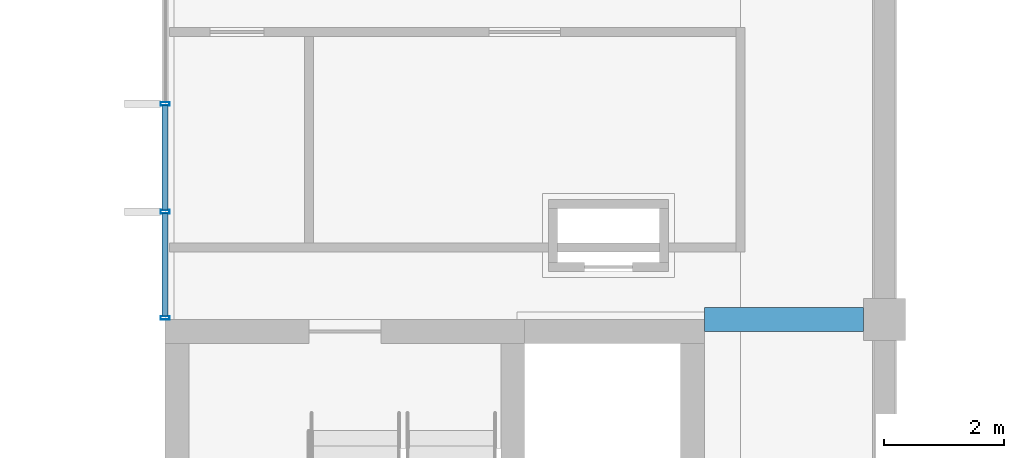
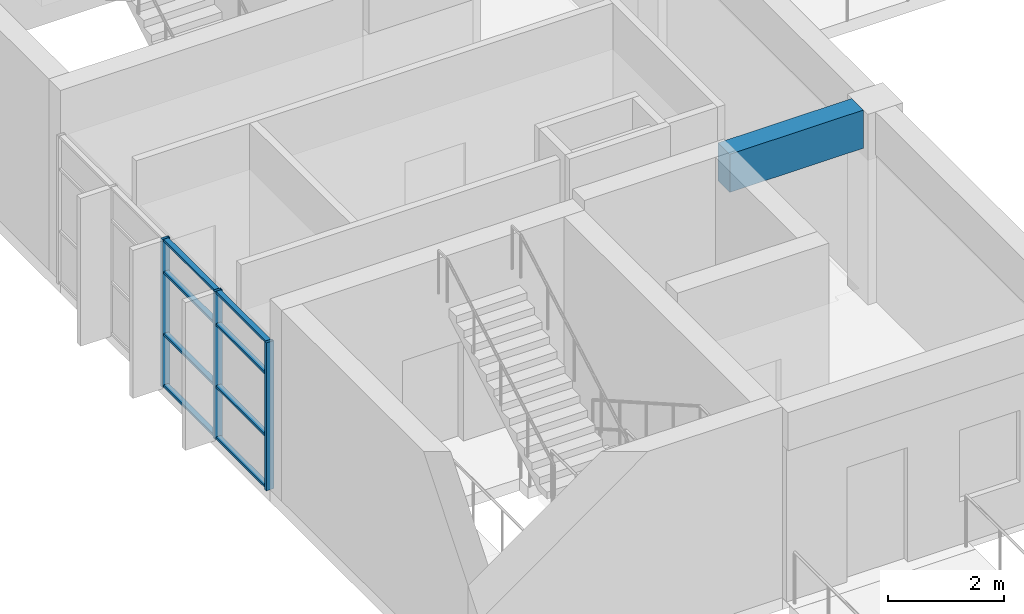
# One storey, part 33 of 101: 11 members, 1 beam, 1 element without a shape of its own.
"""IFC4 building model written with IfcOpenShell, lengths in metres."""

from ifc_helpers import new_model, si_unit, direction, frame, origin, origin_2d, place, context, subcontext, project, spatial, rectangle, hollow_rectangle, extrude, material, material_profile, profile_set, type_object, element, aggregate, save


model = new_model("IFC4")

# Units and contexts
model_context = context("Model", 3, precision=1e-05, world=origin(), true_north=direction((0.0, 1.0)))
body_context = subcontext(model_context, "Body", "Model", "MODEL_VIEW")
ifc_project = project(units=[si_unit("LENGTHUNIT", "METRE"), si_unit("AREAUNIT", "SQUARE_METRE"), si_unit("VOLUMEUNIT", "CUBIC_METRE"), si_unit("PLANEANGLEUNIT", "RADIAN"), si_unit("MASSUNIT", "GRAM", prefix="KILO")], contexts=[model_context])

# Site, building, storey
site_placement = place(None, origin())
site = spatial("IfcSite", under=ifc_project, at=site_placement, CompositionType="ELEMENT")
building_placement = place(site_placement, origin())
building = spatial("IfcBuilding", under=site, at=building_placement, Name="Laocheng Heights Fire and Rescue Headquarters", CompositionType="ELEMENT")
storey_placement = place(building_placement, frame((0.0, 0.0, 8.39990234375)))
storey = spatial("IfcBuildingStorey", under=building, at=storey_placement, Name="L02", CompositionType="ELEMENT", Elevation=8.39990234375)

# Curtain wall, members
ifc_material_1 = material(Name="Dark anodised aluminium unitised curtain wall, low-e double glazing", Category="aluminium")
curtain_wall_type = type_object("IfcCurtainWallType", Name="CW 7200 x 3100 FOYER GLAZING", PredefinedType="NOTDEFINED", material=ifc_material_1)
curtain_wall_placement = place(storey_placement, origin())
curtain_wall = element("IfcCurtainWall", 1, at=curtain_wall_placement, inside=storey, type_object=curtain_wall_type, Name="X3-V FOYER WEST L02", PredefinedType="NOTDEFINED")
ifc_material_2 = material(Name="Dark anodised aluminium 6063-T5 extrusion", Category="aluminium")
ifc_material_profile_1 = material_profile(ifc_material_2, hollow_rectangle(XDim=0.14990234375, YDim=0.06005859375, WallThickness=0.0029296875, at=origin_2d()), Name="AL MULLION 150x60x3 FOYER GLAZING")
ifc_profile_set_1 = profile_set([ifc_material_profile_1], Name="Dark anodised aluminium 6063-T5 extrusion")
member_type_1 = type_object("IfcMemberType", Name="AL MULLION 150x60x3 FOYER GLAZING", PredefinedType="MULLION", material=ifc_profile_set_1)
member_1_placement = place(storey_placement, frame((0.0, 43.22998046875, 0.0), z_axis=(0.0, 0.0, 1.0), x_axis=(-1.0, 0.0, 0.0)))
member_1 = element("IfcMember", 2, at=member_1_placement, type_object=member_type_1, Name="X3-V mullion 1", PredefinedType="MULLION", context=body_context, shape_type="SweptSolid", body=[
    extrude(hollow_rectangle(XDim=0.14990234375, YDim=0.06005859375, WallThickness=0.0029296875, at=origin_2d()), origin(), (0.0, 0.0, 1.0), 3.10009765625),
])
member_2_placement = place(storey_placement, frame((0.0, 45.0, 0.0), z_axis=(0.0, 0.0, 1.0), x_axis=(-1.0, 0.0, 0.0)))
member_2 = element("IfcMember", 3, at=member_2_placement, type_object=member_type_1, Name="X3-V mullion 2", PredefinedType="MULLION", context=body_context, shape_type="SweptSolid", body=[
    extrude(hollow_rectangle(XDim=0.14990234375, YDim=0.06005859375, WallThickness=0.0029296875, at=origin_2d()), origin(), (0.0, 0.0, 1.0), 3.10009765625),
])
member_3_placement = place(storey_placement, frame((0.0, 46.800048828125, 0.0), z_axis=(0.0, 0.0, 1.0), x_axis=(-1.0, 0.0, 0.0)))
member_3 = element("IfcMember", 4, at=member_3_placement, type_object=member_type_1, Name="X3-V mullion 3", PredefinedType="MULLION", context=body_context, shape_type="SweptSolid", body=[
    extrude(hollow_rectangle(XDim=0.14990234375, YDim=0.06005859375, WallThickness=0.0029296875, at=origin_2d()), origin(), (0.0, 0.0, 1.0), 3.10009765625),
])
ifc_material_3 = material(Name="Dark anodised aluminium 6063-T5 extrusion", Category="aluminium")
ifc_material_profile_2 = material_profile(ifc_material_3, hollow_rectangle(XDim=0.10009765625, YDim=0.050048828125, WallThickness=0.0029296875, at=origin_2d()), Name="AL TRANSOM 100x50x3 FOYER GLAZING")
ifc_profile_set_2 = profile_set([ifc_material_profile_2], Name="Dark anodised aluminium 6063-T5 extrusion")
member_type_2 = type_object("IfcMemberType", Name="AL TRANSOM 100x50x3 FOYER GLAZING", PredefinedType="USERDEFINED", material=ifc_profile_set_2)
member_4_placement = place(storey_placement, frame((0.0, 43.260009765625, 0.025146484375), z_axis=(0.0, 1.0, 0.0), x_axis=(-1.0, 0.0, 0.0)))
member_4 = element("IfcMember", 5, at=member_4_placement, type_object=member_type_2, Name="X3-V transom 1.1", ObjectType="TRANSOM", PredefinedType="USERDEFINED", context=body_context, shape_type="SweptSolid", body=[
    extrude(hollow_rectangle(XDim=0.10009765625, YDim=0.050048828125, WallThickness=0.0029296875, at=origin_2d()), origin(), (0.0, 0.0, 1.0), 1.7099609375),
])
member_5_placement = place(storey_placement, frame((0.0, 43.260009765625, 1.10009765625), z_axis=(0.0, 1.0, 0.0), x_axis=(-1.0, 0.0, 0.0)))
member_5 = element("IfcMember", 6, at=member_5_placement, type_object=member_type_2, Name="X3-V transom 1.2", ObjectType="TRANSOM", PredefinedType="USERDEFINED", context=body_context, shape_type="SweptSolid", body=[
    extrude(hollow_rectangle(XDim=0.10009765625, YDim=0.050048828125, WallThickness=0.0029296875, at=origin_2d()), origin(), (0.0, 0.0, 1.0), 1.7099609375),
])
member_6_placement = place(storey_placement, frame((0.0, 43.260009765625, 2.400146484375), z_axis=(0.0, 1.0, 0.0), x_axis=(-1.0, 0.0, 0.0)))
member_6 = element("IfcMember", 7, at=member_6_placement, type_object=member_type_2, Name="X3-V transom 1.3", ObjectType="TRANSOM", PredefinedType="USERDEFINED", context=body_context, shape_type="SweptSolid", body=[
    extrude(hollow_rectangle(XDim=0.10009765625, YDim=0.050048828125, WallThickness=0.0029296875, at=origin_2d()), origin(), (0.0, 0.0, 1.0), 1.7099609375),
])
member_7_placement = place(storey_placement, frame((0.0, 43.260009765625, 3.0751953125), z_axis=(0.0, 1.0, 0.0), x_axis=(-1.0, 0.0, 0.0)))
member_7 = element("IfcMember", 8, at=member_7_placement, type_object=member_type_2, Name="X3-V transom 1.4", ObjectType="TRANSOM", PredefinedType="USERDEFINED", context=body_context, shape_type="SweptSolid", body=[
    extrude(hollow_rectangle(XDim=0.10009765625, YDim=0.050048828125, WallThickness=0.0029296875, at=origin_2d()), origin(), (0.0, 0.0, 1.0), 1.7099609375),
])
member_8_placement = place(storey_placement, frame((0.0, 45.030029296875, 0.025146484375), z_axis=(0.0, 1.0, 0.0), x_axis=(-1.0, 0.0, 0.0)))
member_8 = element("IfcMember", 9, at=member_8_placement, type_object=member_type_2, Name="X3-V transom 2.1", ObjectType="TRANSOM", PredefinedType="USERDEFINED", context=body_context, shape_type="SweptSolid", body=[
    extrude(hollow_rectangle(XDim=0.10009765625, YDim=0.050048828125, WallThickness=0.0029296875, at=origin_2d()), origin(), (0.0, 0.0, 1.0), 1.739990234375),
])
member_9_placement = place(storey_placement, frame((0.0, 45.030029296875, 1.10009765625), z_axis=(0.0, 1.0, 0.0), x_axis=(-1.0, 0.0, 0.0)))
member_9 = element("IfcMember", 10, at=member_9_placement, type_object=member_type_2, Name="X3-V transom 2.2", ObjectType="TRANSOM", PredefinedType="USERDEFINED", context=body_context, shape_type="SweptSolid", body=[
    extrude(hollow_rectangle(XDim=0.10009765625, YDim=0.050048828125, WallThickness=0.0029296875, at=origin_2d()), origin(), (0.0, 0.0, 1.0), 1.739990234375),
])
member_10_placement = place(storey_placement, frame((0.0, 45.030029296875, 2.400146484375), z_axis=(0.0, 1.0, 0.0), x_axis=(-1.0, 0.0, 0.0)))
member_10 = element("IfcMember", 11, at=member_10_placement, type_object=member_type_2, Name="X3-V transom 2.3", ObjectType="TRANSOM", PredefinedType="USERDEFINED", context=body_context, shape_type="SweptSolid", body=[
    extrude(hollow_rectangle(XDim=0.10009765625, YDim=0.050048828125, WallThickness=0.0029296875, at=origin_2d()), origin(), (0.0, 0.0, 1.0), 1.739990234375),
])
member_11_placement = place(storey_placement, frame((0.0, 45.030029296875, 3.0751953125), z_axis=(0.0, 1.0, 0.0), x_axis=(-1.0, 0.0, 0.0)))
member_11 = element("IfcMember", 12, at=member_11_placement, type_object=member_type_2, Name="X3-V transom 2.4", ObjectType="TRANSOM", PredefinedType="USERDEFINED", context=body_context, shape_type="SweptSolid", body=[
    extrude(hollow_rectangle(XDim=0.10009765625, YDim=0.050048828125, WallThickness=0.0029296875, at=origin_2d()), origin(), (0.0, 0.0, 1.0), 1.739990234375),
])
aggregate(curtain_wall, [member_1, member_2, member_3, member_4, member_5, member_6, member_7, member_8, member_9, member_10, member_11])

# Beam
ifc_material_4 = material(Name="Concrete C40", Category="concrete")
ifc_material_profile_3 = material_profile(ifc_material_4, rectangle(XDim=0.39990234375, YDim=0.800048828125, at=origin_2d()), Name="RC BEAM 400x800 FOYER")
ifc_profile_set_3 = profile_set([ifc_material_profile_3], Name="Concrete C40")
beam_type = type_object("IfcBeamType", Name="RC BEAM 400x800 FOYER", PredefinedType="BEAM", material=ifc_profile_set_3)
beam_placement = place(storey_placement, frame((9.0, 43.199951171875, 3.60009765625), z_axis=(1.0, 0.0, 0.0), x_axis=(0.0, 1.0, 0.0)))
element("IfcBeam", 13, at=beam_placement, inside=storey, type_object=beam_type, Name="Foyer beam L02", PredefinedType="BEAM", context=body_context, shape_type="SweptSolid", body=[
    extrude(rectangle(XDim=0.39990234375, YDim=0.800048828125, at=origin_2d()), origin(), (0.0, 0.0, 1.0), 2.64990234375),
])

save(model, "model.ifc")
